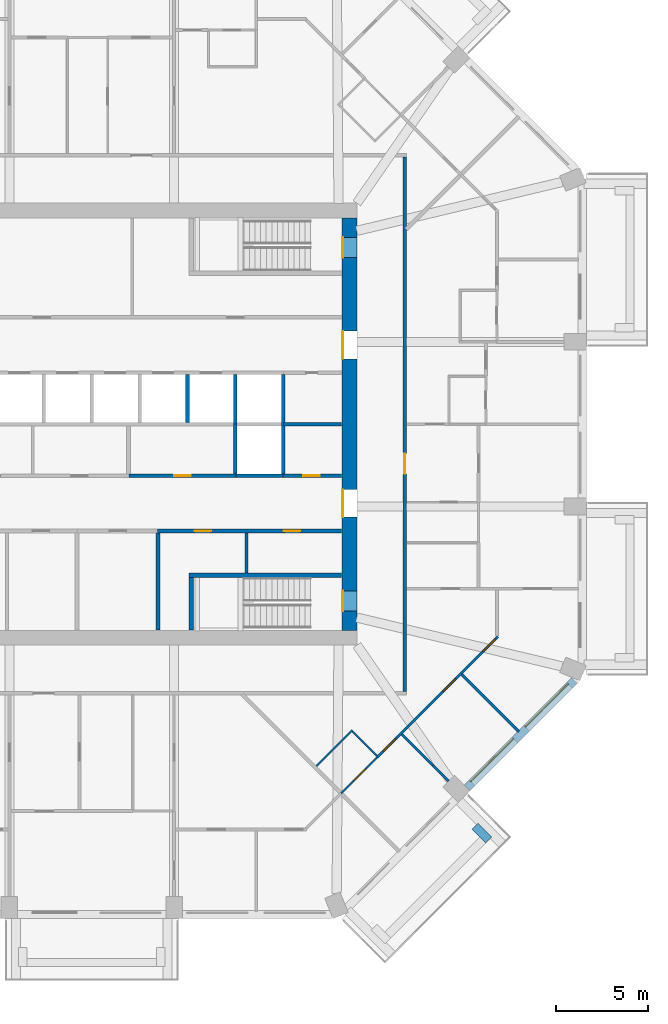
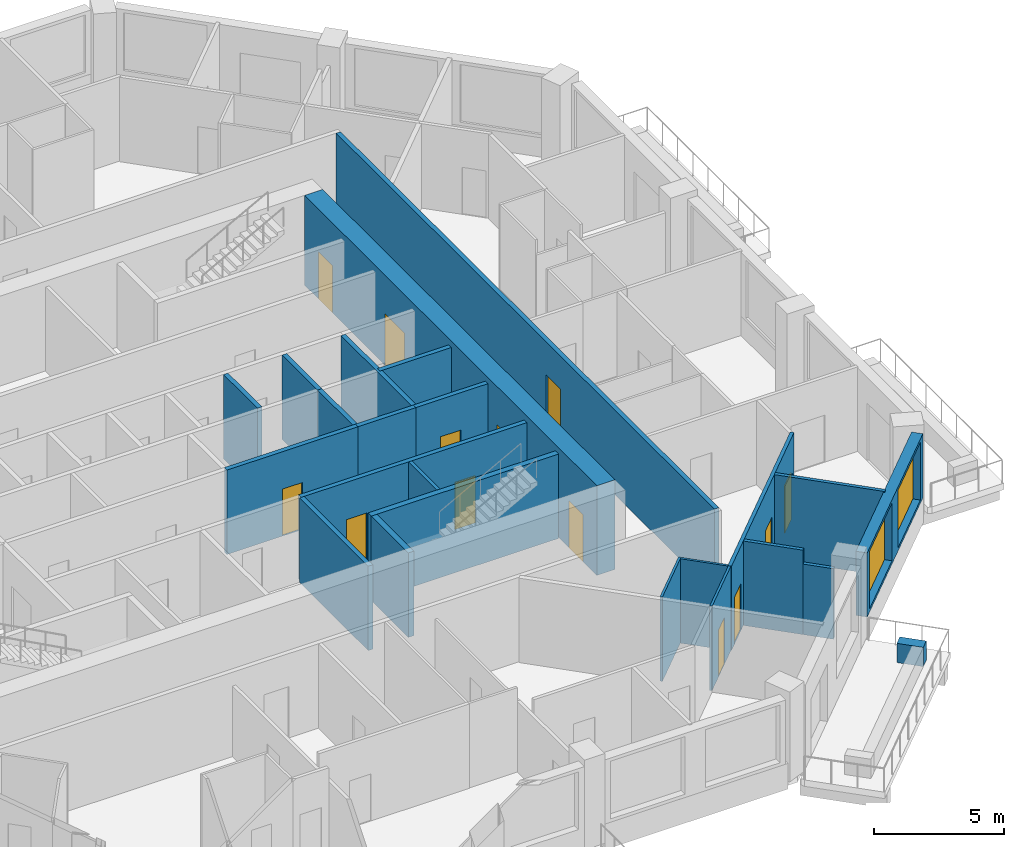
# One storey, part 6 of 13: 24 walls, 13 doors, 2 windows, 15 openings.
"""IFC4 building model written with IfcOpenShell, lengths in metres."""

import ifcopenshell
import ifcopenshell.guid

model = None  # the IFC model being written
_history = None  # IfcOwnerHistory: only IFC2X3 demands one
_inside = {}  # id of a spatial element -> (the spatial element, [elements in it])
_under = {}  # id of a project, library or spatial element -> (it, [spatial elements below it])
_declared = {}  # id of a project -> (the project, [libraries it declares])
_typed = {}  # id of a type object -> (the type object, [elements of that type])
_made_of = {}  # id of a material, layer set ... -> (it, [elements and type objects made of it])


def new_model(schema):
    """Start an empty IFC model of exactly this schema.

    Asked for "IFC4X3", IfcOpenShell would pick the latest addendum, in which some entities
    have other attributes; the version numbers below select the first issue.
    IFC2X3 requires an IfcOwnerHistory on every rooted entity: one is made here for all.
    """
    global model, _history
    if schema == "IFC4X3":
        model = ifcopenshell.file(schema_version=(4, 3, 0, 0))
    else:
        model = ifcopenshell.file(schema=schema)
    _inside.clear()
    _under.clear()
    _declared.clear()
    _typed.clear()
    _made_of.clear()
    _history = None
    if model.schema == "IFC2X3":
        org = make("IfcOrganization", Name="unknown")
        user = make(
            "IfcPersonAndOrganization",
            ThePerson=make("IfcPerson", FamilyName="unknown"),
            TheOrganization=org,
        )
        app = make(
            "IfcApplication",
            ApplicationDeveloper=org,
            Version="unknown",
            ApplicationFullName="unknown",
            ApplicationIdentifier="unknown",
        )
        _history = make(
            "IfcOwnerHistory",
            OwningUser=user,
            OwningApplication=app,
            ChangeAction="ADDED",
            CreationDate=0,
        )
    return model


def make(cls, **values):
    """One entity of the class cls with the attributes given. An attribute that is None is left unset."""
    return model.create_entity(
        cls, **{name: value for name, value in values.items() if value is not None}
    )


def rooted(cls, **values):
    """An entity with a GlobalId (a new one), such as an element, a storey or a relation."""
    return make(cls, GlobalId=ifcopenshell.guid.new(), OwnerHistory=_history, **values)


def si_unit(unit_type, name, prefix=None):
    """IfcSIUnit, for example si_unit("LENGTHUNIT", "METRE", prefix="MILLI")."""
    return make("IfcSIUnit", UnitType=unit_type, Prefix=prefix, Name=name)


def assignment(units):
    """IfcUnitAssignment: the units of a project."""
    return None if units is None else make("IfcUnitAssignment", Units=units)


def point(xyz):
    """IfcCartesianPoint."""
    return None if xyz is None else make("IfcCartesianPoint", Coordinates=xyz)


def direction(xyz):
    """IfcDirection."""
    return None if xyz is None else make("IfcDirection", DirectionRatios=xyz)


def frame(location, z_axis=None, x_axis=None):
    """IfcAxis2Placement3D, a coordinate frame: its origin and axes. An axis left out is left unset."""
    return make(
        "IfcAxis2Placement3D",
        Location=point(location),
        Axis=direction(z_axis),
        RefDirection=direction(x_axis),
    )


def frame_2d(location, x_axis=None):
    """IfcAxis2Placement2D, a coordinate frame in the plane: its origin and x axis."""
    return make(
        "IfcAxis2Placement2D", Location=point(location), RefDirection=direction(x_axis)
    )


def origin():
    """The frame at (0, 0, 0) with its axes left unset."""
    return frame((0.0, 0.0, 0.0))


def place(relative_to, where):
    """IfcLocalPlacement: puts the frame where relative to a parent placement (None: the world)."""
    return make(
        "IfcLocalPlacement", PlacementRelTo=relative_to, RelativePlacement=where
    )


def context(
    kind, dimensions, precision=None, world=None, true_north=None, identifier=None
):
    """IfcGeometricRepresentationContext, for example the 3D "Model" context."""
    return make(
        "IfcGeometricRepresentationContext",
        ContextIdentifier=identifier,
        ContextType=kind,
        CoordinateSpaceDimension=dimensions,
        Precision=precision,
        WorldCoordinateSystem=world,
        TrueNorth=true_north,
    )


def subcontext(parent, identifier, kind, view, scale=None):
    """IfcGeometricRepresentationSubContext, for example "Body" below "Model"."""
    return make(
        "IfcGeometricRepresentationSubContext",
        ContextIdentifier=identifier,
        ContextType=kind,
        ParentContext=parent,
        TargetScale=scale,
        TargetView=view,
    )


def project(units=None, contexts=None):
    """IfcProject with its units and contexts."""
    return rooted(
        "IfcProject",
        Name="project",
        RepresentationContexts=contexts,
        UnitsInContext=assignment(units),
    )


def spatial(cls, under=None, at=None, **own):
    """A site, building, storey or space (cls), placed at a placement, below another one or the project."""
    s = rooted(cls, ObjectPlacement=at, **own)
    if under is not None:
        _under.setdefault(under.id(), (under, []))[1].append(s)
    return s


def profile(cls, at=None, kind="AREA", **sizes):
    """A parametric profile (cls). Its sizes go by their IFC names, for example OverallWidth=200.0."""
    return make(cls, ProfileType=kind, Position=at, **sizes)


def rectangle(**sizes):
    """IfcRectangleProfileDef."""
    return profile("IfcRectangleProfileDef", **sizes)


def extrude(swept, where, along, depth):
    """IfcExtrudedAreaSolid: the profile swept, set in the frame where, extruded along a direction by depth."""
    return make(
        "IfcExtrudedAreaSolid",
        SweptArea=swept,
        Position=where,
        ExtrudedDirection=direction(along),
        Depth=depth,
    )


def shape(context_of_items, identifier, shape_type, items):
    """IfcShapeRepresentation: the items that make up one representation, for example the "Body"."""
    return make(
        "IfcShapeRepresentation",
        ContextOfItems=context_of_items,
        RepresentationIdentifier=identifier,
        RepresentationType=shape_type,
        Items=items,
    )


def material(Name=None, Category=None):
    """IfcMaterial."""
    return make("IfcMaterial", Name=Name, Category=Category)


def layer(
    of_material, thickness, ventilated=None, Name=None, Category=None, Priority=None
):
    """IfcMaterialLayer: one layer of a wall or slab, of a material (None: an air gap)."""
    return make(
        "IfcMaterialLayer",
        Material=of_material,
        LayerThickness=thickness,
        IsVentilated=ventilated,
        Name=Name,
        Category=Category,
        Priority=Priority,
    )


def layer_set(layers, Name=None):
    """IfcMaterialLayerSet."""
    return make("IfcMaterialLayerSet", MaterialLayers=layers, LayerSetName=Name)


def made_of(thing, what):
    """Note that an element or type object is made of a material, layer set ...; save() writes the relation."""
    if what is not None:
        _made_of.setdefault(what.id(), (what, []))[1].append(thing)
    return thing


def type_object(cls, material=None, **own):
    """A type object (cls), such as IfcWallType, which elements share."""
    return made_of(rooted(cls, **own), material)


def element(
    cls,
    number,
    at=None,
    inside=None,
    cuts=None,
    type_object=None,
    material=None,
    context=None,
    identifier="Body",
    shape_type=None,
    held_by="IfcProductDefinitionShape",
    body=None,
    shapes=None,
    **own,
):
    """One element of the class cls, such as IfcWall. Its Tag is "e" and its number.

    at: its placement. inside: the storey or other place that contains it. cuts: it is an
    opening in that element (IfcRelVoidsElement). A single representation is given by context,
    identifier, shape_type and body (its items); several are given by shapes. held_by: the class
    of the entity that holds the representations. save() writes the other relations.
    """
    e = rooted(cls, Tag="e%d" % number, ObjectPlacement=at, **own)
    if body is not None:
        shapes = [shape(context, identifier, shape_type, body)]
    if shapes is not None:
        e.Representation = make(held_by, Representations=shapes)
    if inside is not None:
        _inside.setdefault(inside.id(), (inside, []))[1].append(e)
    if cuts is not None:
        rooted(
            "IfcRelVoidsElement", RelatingBuildingElement=cuts, RelatedOpeningElement=e
        )
    if type_object is not None:
        _typed.setdefault(type_object.id(), (type_object, []))[1].append(e)
    return made_of(e, material)


def fill(opening, filler):
    """IfcRelFillsElement: the door or window that sits in an opening."""
    return rooted(
        "IfcRelFillsElement",
        RelatingOpeningElement=opening,
        RelatedBuildingElement=filler,
    )


def aggregate(whole, parts):
    """IfcRelAggregates: a whole, such as a stair, and the parts it consists of."""
    return rooted("IfcRelAggregates", RelatingObject=whole, RelatedObjects=parts)


def save(model, path):
    """Write the relations noted so far, then the file.

    IfcRelAggregates (storeys below a building ...), IfcRelContainedInSpatialStructure (elements
    in a storey), IfcRelDefinesByType, IfcRelAssociatesMaterial and IfcRelDeclares: one each for
    every whole, place, type object, material and project.
    """
    for whole, parts in _under.values():
        aggregate(whole, parts)
    for where, things in _inside.values():
        rooted(
            "IfcRelContainedInSpatialStructure",
            RelatedElements=things,
            RelatingStructure=where,
        )
    for kind, things in _typed.values():
        rooted("IfcRelDefinesByType", RelatedObjects=things, RelatingType=kind)
    for what, things in _made_of.values():
        rooted("IfcRelAssociatesMaterial", RelatedObjects=things, RelatingMaterial=what)
    for by, libraries in _declared.values():
        rooted("IfcRelDeclares", RelatingContext=by, RelatedDefinitions=libraries)
    model.write(path)


model = new_model("IFC4")

# Units and contexts
model_context = context("Model", 3, precision=1e-05, world=origin(), true_north=direction((0.0, 1.0)))
body_context = subcontext(model_context, "Body", "Model", "MODEL_VIEW")
ifc_project = project(units=[si_unit("LENGTHUNIT", "METRE"), si_unit("AREAUNIT", "SQUARE_METRE"), si_unit("VOLUMEUNIT", "CUBIC_METRE"), si_unit("PLANEANGLEUNIT", "RADIAN"), si_unit("MASSUNIT", "GRAM", prefix="KILO")], contexts=[model_context])

# Site, building, storey
site_placement = place(None, origin())
site = spatial("IfcSite", under=ifc_project, at=site_placement, CompositionType="ELEMENT")
building_placement = place(site_placement, origin())
building = spatial("IfcBuilding", under=site, at=building_placement, Name="Msitu Wima Residences", CompositionType="ELEMENT")
storey_placement = place(building_placement, frame((0.0, 0.0, 135.89990234375)))
storey = spatial("IfcBuildingStorey", under=building, at=storey_placement, Name="L31", CompositionType="ELEMENT", Elevation=135.89990234375)

# Wall
ifc_material_1 = material(Name="Facing brick")
ifc_layer_1 = layer(ifc_material_1, 0.06494140625, Name="Facing brick")
ifc_material_2 = material(Name="Concrete C40/50", Category="concrete")
ifc_layer_2 = layer(ifc_material_2, 0.156005859375, Name="Concrete C40/50")
ifc_material_3 = material(Name="Waterproofing membrane")
ifc_layer_3 = layer(ifc_material_3, 0.00390625, Name="Waterproofing membrane")
ifc_material_4 = material(Name="Planting soil and planting")
ifc_layer_4 = layer(ifc_material_4, 0.22509765625, Name="Planting soil and planting")
ifc_layer_set_1 = layer_set([ifc_layer_1, ifc_layer_2, ifc_layer_3, ifc_layer_4], Name="Concrete C40/50")
wall_type_1 = type_object("IfcWallType", Name="Balcony planter PLANTER PL450", PredefinedType="USERDEFINED", material=ifc_layer_set_1)
wall_1_placement = place(storey_placement, frame((20.804443359375, -21.829833984375, 0.0), z_axis=(0.0, 0.0, 1.0), x_axis=(0.707106781187, -0.707106781187, 0.0)))
element("IfcWall", 1, at=wall_1_placement, inside=storey, type_object=wall_type_1, Name="Balcony planter SE0 L31", ObjectType="PLANTER", PredefinedType="USERDEFINED", context=body_context, shape_type="SweptSolid", body=[
    extrude(rectangle(XDim=1.050048828125, YDim=0.449951171875, at=frame_2d((0.52490234375, 0.0))), origin(), (0.0, 0.0, 1.0), 0.900146484375),
])

# Wall, openings, windows
ifc_material_5 = material(Name="Brick (red buff mix)", Category="masonry")
ifc_layer_5 = layer(ifc_material_5, 0.449951171875)
ifc_layer_set_2 = layer_set([ifc_layer_5], Name="Brick (red buff mix)")
wall_type_2 = type_object("IfcWallType", Name="Brick infill wall BW450", PredefinedType="SOLIDWALL", material=ifc_layer_set_2)
wall_2_placement = place(storey_placement, frame((20.380126953125, -19.743896484375, 0.900146484375), z_axis=(0.0, 0.0, 1.0), x_axis=(0.707106781187, 0.707106781187, 0.0)))
wall_2 = element("IfcWall", 2, at=wall_2_placement, inside=storey, type_object=wall_type_2, Name="Brick infill wall L31 SE1", PredefinedType="SOLIDWALL", context=body_context, shape_type="SweptSolid", body=[
    extrude(rectangle(XDim=8.251220703125, YDim=0.449951171875, at=frame_2d((4.12548828125, 0.0))), origin(), (0.0, 0.0, 1.0), 3.0),
])
opening_1_placement = place(wall_2_placement, frame((0.37548828125, 0.0, 0.14990234375)))
opening_1 = element("IfcOpeningElement", 3, at=opening_1_placement, cuts=wall_2, Name="Opening W30-32.022", PredefinedType="OPENING", context=body_context, shape_type="SweptSolid", body=[
    extrude(rectangle(XDim=3.300048828125, YDim=2.699951171875, at=frame_2d((1.64990234375, 1.35009765625))), frame((0.0, 0.23486328125, 0.0), z_axis=(0.0, -1.0, 0.0), x_axis=(1.0, 0.0, 0.0)), (0.0, 0.0, 1.0), 0.469970703125),
])
opening_2_placement = place(wall_2_placement, frame((4.57568359375, 0.0, 0.14990234375)))
opening_2 = element("IfcOpeningElement", 4, at=opening_2_placement, cuts=wall_2, Name="Opening W30-32.023", PredefinedType="OPENING", context=body_context, shape_type="SweptSolid", body=[
    extrude(rectangle(XDim=3.300048828125, YDim=2.699951171875, at=frame_2d((1.64990234375, 1.35009765625))), frame((0.0, 0.23486328125, 0.0), z_axis=(0.0, -1.0, 0.0), x_axis=(1.0, 0.0, 0.0)), (0.0, 0.0, 1.0), 0.469970703125),
])
ifc_material_6 = material(Name="Anodised aluminium, bronze finish, clear low-emissivity double glazing", Category="aluminium")
window_type = type_object("IfcWindowType", Name="Window W3300x2700", PartitioningType="DOUBLE_PANEL_VERTICAL", PredefinedType="WINDOW", material=ifc_material_6)
window_1_placement = place(opening_1_placement, origin())
window_1 = element("IfcWindow", 5, at=window_1_placement, inside=storey, type_object=window_type, Name="Window L31 SE1.1", OverallHeight=2.699951171875, OverallWidth=3.300048828125, PartitioningType="SINGLE_PANEL", PredefinedType="WINDOW", context=body_context, shape_type="SweptSolid", body=[
    extrude(rectangle(XDim=3.300048828125, YDim=2.699951171875, at=frame_2d((1.64990234375, 1.35009765625))), frame((0.0, 0.135009765625, 0.0), z_axis=(0.0, -1.0, 0.0), x_axis=(1.0, 0.0, 0.0)), (0.0, 0.0, 1.0), 0.06005859375),
])
fill(opening_1, window_1)
window_2_placement = place(opening_2_placement, origin())
window_2 = element("IfcWindow", 6, at=window_2_placement, inside=storey, type_object=window_type, Name="Window L31 SE1.2", OverallHeight=2.699951171875, OverallWidth=3.300048828125, PartitioningType="SINGLE_PANEL", PredefinedType="WINDOW", context=body_context, shape_type="SweptSolid", body=[
    extrude(rectangle(XDim=3.300048828125, YDim=2.699951171875, at=frame_2d((1.64990234375, 1.35009765625))), frame((0.0, 0.135009765625, 0.0), z_axis=(0.0, -1.0, 0.0), x_axis=(1.0, 0.0, 0.0)), (0.0, 0.0, 1.0), 0.06005859375),
])
fill(opening_2, window_2)

# Wall, openings, doors
ifc_material_7 = material(Name="Concrete C70/85", Category="concrete")
ifc_layer_6 = layer(ifc_material_7, 0.800048828125)
ifc_layer_set_3 = layer_set([ifc_layer_6], Name="Concrete C70/85")
wall_type_3 = type_object("IfcWallType", Name="Core wall CW800 C70/85", PredefinedType="SHEAR", material=ifc_layer_set_3)
wall_3_placement = place(storey_placement, frame((14.0, -11.199951171875, 0.0), z_axis=(0.0, 0.0, 1.0), x_axis=(0.0, 1.0, 0.0)))
wall_3 = element("IfcWall", 7, at=wall_3_placement, inside=storey, type_object=wall_type_3, Name="Core wall", PredefinedType="SHEAR", context=body_context, shape_type="SweptSolid", body=[
    extrude(rectangle(XDim=22.39990234375, YDim=0.800048828125, at=frame_2d((11.199951171875, 0.0))), origin(), (0.0, 0.0, 1.0), 4.2001953125),
])
opening_3_placement = place(wall_3_placement, frame((20.25, 0.0, 0.0)))
opening_3 = element("IfcOpeningElement", 8, at=opening_3_placement, cuts=wall_3, Name="Opening D30-32.038", PredefinedType="OPENING", context=body_context, shape_type="SweptSolid", body=[
    extrude(rectangle(XDim=1.10009765625, YDim=2.199951171875, at=frame_2d((0.550048828125, 1.10009765625))), frame((0.0, 0.409912109375, 0.0), z_axis=(0.0, -1.0, 0.0), x_axis=(1.0, 0.0, 0.0)), (0.0, 0.0, 1.0), 0.820068359375),
])
opening_4_placement = place(wall_3_placement, frame((1.050048828125, 0.0, 0.0)))
opening_4 = element("IfcOpeningElement", 9, at=opening_4_placement, cuts=wall_3, Name="Opening D30-32.039", PredefinedType="OPENING", context=body_context, shape_type="SweptSolid", body=[
    extrude(rectangle(XDim=1.10009765625, YDim=2.199951171875, at=frame_2d((0.550048828125, 1.10009765625))), frame((0.0, 0.409912109375, 0.0), z_axis=(0.0, -1.0, 0.0), x_axis=(1.0, 0.0, 0.0)), (0.0, 0.0, 1.0), 0.820068359375),
])
opening_5_placement = place(wall_3_placement, frame((14.75, 0.0, 0.0)))
opening_5 = element("IfcOpeningElement", 10, at=opening_5_placement, cuts=wall_3, Name="Opening D30-32.027", PredefinedType="OPENING", context=body_context, shape_type="SweptSolid", body=[
    extrude(rectangle(XDim=1.5, YDim=2.39990234375, at=frame_2d((0.75, 1.199951171875))), frame((0.0, 0.409912109375, 0.0), z_axis=(0.0, -1.0, 0.0), x_axis=(1.0, 0.0, 0.0)), (0.0, 0.0, 1.0), 0.820068359375),
])
opening_6_placement = place(wall_3_placement, frame((6.14990234375, 0.0, 0.0)))
opening_6 = element("IfcOpeningElement", 11, at=opening_6_placement, cuts=wall_3, Name="Opening D30-32.028", PredefinedType="OPENING", context=body_context, shape_type="SweptSolid", body=[
    extrude(rectangle(XDim=1.5, YDim=2.39990234375, at=frame_2d((0.75, 1.199951171875))), frame((0.0, 0.409912109375, 0.0), z_axis=(0.0, -1.0, 0.0), x_axis=(1.0, 0.0, 0.0)), (0.0, 0.0, 1.0), 0.820068359375),
])
ifc_material_8 = material(Name="Steel framed glazed door, fire resisting", Category="steel")
door_type_1 = type_object("IfcDoorType", Name="Lobby door D07 1500x2400", OperationType="DOUBLE_DOOR_SINGLE_SWING", PredefinedType="DOOR", material=ifc_material_8)
door_1_placement = place(opening_5_placement, origin())
door_1 = element("IfcDoor", 12, at=door_1_placement, inside=storey, type_object=door_type_1, Name="Lobby door", OperationType="DOUBLE_DOOR_SINGLE_SWING", OverallHeight=2.39990234375, OverallWidth=1.5, PredefinedType="DOOR", context=body_context, shape_type="SweptSolid", body=[
    extrude(rectangle(XDim=1.5, YDim=2.39990234375, at=frame_2d((0.75, 1.199951171875))), frame((0.0, 0.39501953125, 0.0), z_axis=(0.0, -1.0, 0.0), x_axis=(1.0, 0.0, 0.0)), (0.0, 0.0, 1.0), 0.050048828125),
])
fill(opening_5, door_1)
door_2_placement = place(opening_6_placement, origin())
door_2 = element("IfcDoor", 13, at=door_2_placement, inside=storey, type_object=door_type_1, Name="Lobby door", OperationType="DOUBLE_DOOR_SINGLE_SWING", OverallHeight=2.39990234375, OverallWidth=1.5, PredefinedType="DOOR", context=body_context, shape_type="SweptSolid", body=[
    extrude(rectangle(XDim=1.5, YDim=2.39990234375, at=frame_2d((0.75, 1.199951171875))), frame((0.0, 0.39501953125, 0.0), z_axis=(0.0, -1.0, 0.0), x_axis=(1.0, 0.0, 0.0)), (0.0, 0.0, 1.0), 0.050048828125),
])
fill(opening_6, door_2)
ifc_material_9 = material(Name="Steel door, fire resisting, panic bar", Category="steel")
door_type_2 = type_object("IfcDoorType", Name="Stair door D06 1100x2200", OperationType="SINGLE_SWING_LEFT", PredefinedType="DOOR", material=ifc_material_9)
door_3_placement = place(opening_3_placement, origin())
door_3 = element("IfcDoor", 14, at=door_3_placement, inside=storey, type_object=door_type_2, Name="Stair door", OperationType="SINGLE_SWING_LEFT", OverallHeight=2.199951171875, OverallWidth=1.10009765625, PredefinedType="DOOR", context=body_context, shape_type="SweptSolid", body=[
    extrude(rectangle(XDim=1.10009765625, YDim=2.199951171875, at=frame_2d((0.550048828125, 1.10009765625))), frame((0.0, 0.39501953125, 0.0), z_axis=(0.0, -1.0, 0.0), x_axis=(1.0, 0.0, 0.0)), (0.0, 0.0, 1.0), 0.050048828125),
])
fill(opening_3, door_3)
door_4_placement = place(opening_4_placement, origin())
door_4 = element("IfcDoor", 15, at=door_4_placement, inside=storey, type_object=door_type_2, Name="Stair door", OperationType="SINGLE_SWING_RIGHT", OverallHeight=2.199951171875, OverallWidth=1.10009765625, PredefinedType="DOOR", context=body_context, shape_type="SweptSolid", body=[
    extrude(rectangle(XDim=1.10009765625, YDim=2.199951171875, at=frame_2d((0.550048828125, 1.10009765625))), frame((0.0, 0.39501953125, 0.0), z_axis=(0.0, -1.0, 0.0), x_axis=(1.0, 0.0, 0.0)), (0.0, 0.0, 1.0), 0.050048828125),
])
fill(opening_4, door_4)

ifc_material_10 = material(Name="Plaster")
ifc_layer_7 = layer(ifc_material_10, 0.011962890625, Name="Plaster")
ifc_material_11 = material(Name="Concrete blockwork", Category="masonry")
ifc_layer_8 = layer(ifc_material_11, 0.176025390625, Name="Concrete blockwork")
ifc_layer_9 = layer(ifc_material_10, 0.011962890625, Name="Plaster")
ifc_layer_set_4 = layer_set([ifc_layer_7, ifc_layer_8, ifc_layer_9], Name="Concrete blockwork")
wall_type_4 = type_object("IfcWallType", Name="Corridor wall FW200", PredefinedType="PARTITIONING", material=ifc_layer_set_4)
wall_4_placement = place(storey_placement, frame((3.580078125, -5.800048828125, 0.0), z_axis=(0.0, 0.0, 1.0), x_axis=(1.0, 0.0, 0.0)))
wall_4 = element("IfcWall", 16, at=wall_4_placement, inside=storey, type_object=wall_type_4, Name="Corridor wall", PredefinedType="PARTITIONING", context=body_context, shape_type="SweptSolid", body=[
    extrude(rectangle(XDim=9.989990234375, YDim=0.199951171875, at=frame_2d((4.9951171875, 0.0))), origin(), (0.0, 0.0, 1.0), 3.9501953125),
])
opening_7_placement = place(wall_4_placement, frame((2.0, 0.0, 0.0)))
opening_7 = element("IfcOpeningElement", 17, at=opening_7_placement, cuts=wall_4, Name="Opening D30-32.025", PredefinedType="OPENING", context=body_context, shape_type="SweptSolid", body=[
    extrude(rectangle(XDim=0.89990234375, YDim=2.199951171875, at=frame_2d((0.449951171875, 1.10009765625))), frame((0.0, 0.10986328125, 0.0), z_axis=(0.0, -1.0, 0.0), x_axis=(1.0, 0.0, 0.0)), (0.0, 0.0, 1.0), 0.219970703125),
])
opening_8_placement = place(wall_4_placement, frame((6.85009765625, 0.0, 0.0)))
opening_8 = element("IfcOpeningElement", 18, at=opening_8_placement, cuts=wall_4, Name="Opening D30-32.026", PredefinedType="OPENING", context=body_context, shape_type="SweptSolid", body=[
    extrude(rectangle(XDim=0.89990234375, YDim=2.199951171875, at=frame_2d((0.449951171875, 1.10009765625))), frame((0.0, 0.10986328125, 0.0), z_axis=(0.0, -1.0, 0.0), x_axis=(1.0, 0.0, 0.0)), (0.0, 0.0, 1.0), 0.219970703125),
])
ifc_material_12 = material(Name="Timber flush door", Category="wood")
door_type_3 = type_object("IfcDoorType", Name="Service door D05 900x2200", OperationType="SINGLE_SWING_LEFT", PredefinedType="DOOR", material=ifc_material_12)
door_5_placement = place(opening_7_placement, origin())
door_5 = element("IfcDoor", 19, at=door_5_placement, inside=storey, type_object=door_type_3, Name="Service door", OperationType="SINGLE_SWING_LEFT", OverallHeight=2.199951171875, OverallWidth=0.89990234375, PredefinedType="DOOR", context=body_context, shape_type="SweptSolid", body=[
    extrude(rectangle(XDim=0.89990234375, YDim=2.199951171875, at=frame_2d((0.449951171875, 1.10009765625))), frame((0.0, 0.02490234375, 0.0), z_axis=(0.0, -1.0, 0.0), x_axis=(1.0, 0.0, 0.0)), (0.0, 0.0, 1.0), 0.050048828125),
])
fill(opening_7, door_5)
door_6_placement = place(opening_8_placement, origin())
door_6 = element("IfcDoor", 20, at=door_6_placement, inside=storey, type_object=door_type_3, Name="Service door", OperationType="SINGLE_SWING_RIGHT", OverallHeight=2.199951171875, OverallWidth=0.89990234375, PredefinedType="DOOR", context=body_context, shape_type="SweptSolid", body=[
    extrude(rectangle(XDim=0.89990234375, YDim=2.199951171875, at=frame_2d((0.449951171875, 1.10009765625))), frame((0.0, 0.02490234375, 0.0), z_axis=(0.0, -1.0, 0.0), x_axis=(1.0, 0.0, 0.0)), (0.0, 0.0, 1.0), 0.050048828125),
])
fill(opening_8, door_6)

# Wall, opening, door
wall_5_placement = place(storey_placement, frame((17.0, -14.5, 0.0), z_axis=(0.0, 0.0, 1.0), x_axis=(0.0, 1.0, 0.0)))
wall_5 = element("IfcWall", 21, at=wall_5_placement, inside=storey, type_object=wall_type_4, Name="Corridor wall", PredefinedType="PARTITIONING", context=body_context, shape_type="SweptSolid", body=[
    extrude(rectangle(XDim=29.0, YDim=0.199951171875, at=frame_2d((14.5, 0.0))), origin(), (0.0, 0.0, 1.0), 3.9501953125),
])
opening_9_placement = place(wall_5_placement, frame((11.800048828125, 0.0, 0.0)))
opening_9 = element("IfcOpeningElement", 22, at=opening_9_placement, cuts=wall_5, Name="Opening D30-32.014", PredefinedType="OPENING", context=body_context, shape_type="SweptSolid", body=[
    extrude(rectangle(XDim=1.10009765625, YDim=2.39990234375, at=frame_2d((0.550048828125, 1.199951171875))), frame((0.0, 0.10986328125, 0.0), z_axis=(0.0, -1.0, 0.0), x_axis=(1.0, 0.0, 0.0)), (0.0, 0.0, 1.0), 0.219970703125),
])
ifc_material_13 = material(Name="Timber flush door, fire resisting, self-closing", Category="wood")
door_type_4 = type_object("IfcDoorType", Name="Flat entrance door D01 1100x2400", OperationType="SINGLE_SWING_LEFT", PredefinedType="DOOR", material=ifc_material_13)
door_7_placement = place(opening_9_placement, origin())
door_7 = element("IfcDoor", 23, at=door_7_placement, inside=storey, type_object=door_type_4, Name="Flat entrance door", OperationType="SINGLE_SWING_RIGHT", OverallHeight=2.39990234375, OverallWidth=1.10009765625, PredefinedType="DOOR", context=body_context, shape_type="SweptSolid", body=[
    extrude(rectangle(XDim=1.10009765625, YDim=2.39990234375, at=frame_2d((0.550048828125, 1.199951171875))), frame((0.0, 0.02490234375, 0.0), z_axis=(0.0, -1.0, 0.0), x_axis=(1.0, 0.0, 0.0)), (0.0, 0.0, 1.0), 0.050048828125),
])
fill(opening_9, door_7)

# Wall
ifc_layer_10 = layer(ifc_material_10, 0.011962890625, Name="Plaster")
ifc_layer_11 = layer(ifc_material_11, 0.1259765625, Name="Concrete blockwork")
ifc_layer_12 = layer(ifc_material_10, 0.011962890625, Name="Plaster")
ifc_layer_set_5 = layer_set([ifc_layer_10, ifc_layer_11, ifc_layer_12], Name="Concrete blockwork")
wall_type_5 = type_object("IfcWallType", Name="Partition PW150", PredefinedType="PARTITIONING", material=ifc_layer_set_5)
wall_6_placement = place(storey_placement, frame((8.39990234375, -8.074951171875, 0.0), z_axis=(0.0, 0.0, 1.0), x_axis=(0.0, 1.0, 0.0)))
element("IfcWall", 24, at=wall_6_placement, inside=storey, type_object=wall_type_5, Name="Partition", PredefinedType="PARTITIONING", context=body_context, shape_type="SweptSolid", body=[
    extrude(rectangle(XDim=2.175048828125, YDim=0.14990234375, at=frame_2d((1.08740234375, 0.0))), origin(), (0.0, 0.0, 1.0), 3.9501953125),
])

# Wall, openings, doors
wall_7_placement = place(storey_placement, frame((15.5087890625, -18.074462890625, 0.0), z_axis=(0.0, 0.0, 1.0), x_axis=(0.707106781187, 0.707106781187, 0.0)))
wall_7 = element("IfcWall", 25, at=wall_7_placement, inside=storey, type_object=wall_type_5, Name="Partition", PredefinedType="PARTITIONING", context=body_context, shape_type="SweptSolid", body=[
    extrude(rectangle(XDim=9.2548828125, YDim=0.14990234375, at=frame_2d((4.62744140625, 0.0))), origin(), (0.0, 0.0, 1.0), 3.9501953125),
])
opening_10_placement = place(wall_7_placement, frame((8.10009765625, 0.0, 0.0)))
opening_10 = element("IfcOpeningElement", 26, at=opening_10_placement, cuts=wall_7, Name="Opening D30-32.082", PredefinedType="OPENING", context=body_context, shape_type="SweptSolid", body=[
    extrude(rectangle(XDim=0.949951171875, YDim=2.199951171875, at=frame_2d((0.47509765625, 1.10009765625))), frame((0.0, 0.0849609375, 0.0), z_axis=(0.0, -1.0, 0.0), x_axis=(1.0, 0.0, 0.0)), (0.0, 0.0, 1.0), 0.169921875),
])
opening_11_placement = place(wall_7_placement, frame((5.050048828125, 0.0, 0.0)))
opening_11 = element("IfcOpeningElement", 27, at=opening_11_placement, cuts=wall_7, Name="Opening D30-32.083", PredefinedType="OPENING", context=body_context, shape_type="SweptSolid", body=[
    extrude(rectangle(XDim=0.949951171875, YDim=2.199951171875, at=frame_2d((0.47509765625, 1.10009765625))), frame((0.0, 0.0849609375, 0.0), z_axis=(0.0, -1.0, 0.0), x_axis=(1.0, 0.0, 0.0)), (0.0, 0.0, 1.0), 0.169921875),
])
opening_12_placement = place(wall_7_placement, frame((0.449951171875, 0.0, 0.0)))
opening_12 = element("IfcOpeningElement", 28, at=opening_12_placement, cuts=wall_7, Name="Opening D30-32.085", PredefinedType="OPENING", context=body_context, shape_type="SweptSolid", body=[
    extrude(rectangle(XDim=0.949951171875, YDim=2.199951171875, at=frame_2d((0.47509765625, 1.10009765625))), frame((0.0, 0.0849609375, 0.0), z_axis=(0.0, -1.0, 0.0), x_axis=(1.0, 0.0, 0.0)), (0.0, 0.0, 1.0), 0.169921875),
])
door_type_5 = type_object("IfcDoorType", Name="Room door D12 950x2200", OperationType="SINGLE_SWING_LEFT", PredefinedType="DOOR", material=ifc_material_12)
door_8_placement = place(opening_10_placement, origin())
door_8 = element("IfcDoor", 29, at=door_8_placement, inside=storey, type_object=door_type_5, Name="Room door", OperationType="SINGLE_SWING_RIGHT", OverallHeight=2.199951171875, OverallWidth=0.949951171875, PredefinedType="DOOR", context=body_context, shape_type="SweptSolid", body=[
    extrude(rectangle(XDim=0.949951171875, YDim=2.199951171875, at=frame_2d((0.47509765625, 1.10009765625))), frame((0.0, 0.02490234375, 0.0), z_axis=(0.0, -1.0, 0.0), x_axis=(1.0, 0.0, 0.0)), (0.0, 0.0, 1.0), 0.050048828125),
])
fill(opening_10, door_8)
door_9_placement = place(opening_11_placement, origin())
door_9 = element("IfcDoor", 30, at=door_9_placement, inside=storey, type_object=door_type_5, Name="Room door", OperationType="SINGLE_SWING_LEFT", OverallHeight=2.199951171875, OverallWidth=0.949951171875, PredefinedType="DOOR", context=body_context, shape_type="SweptSolid", body=[
    extrude(rectangle(XDim=0.949951171875, YDim=2.199951171875, at=frame_2d((0.47509765625, 1.10009765625))), frame((0.0, 0.02490234375, 0.0), z_axis=(0.0, -1.0, 0.0), x_axis=(1.0, 0.0, 0.0)), (0.0, 0.0, 1.0), 0.050048828125),
])
fill(opening_11, door_9)
door_10_placement = place(opening_12_placement, origin())
door_10 = element("IfcDoor", 31, at=door_10_placement, inside=storey, type_object=door_type_5, Name="Room door", OperationType="SINGLE_SWING_LEFT", OverallHeight=2.199951171875, OverallWidth=0.949951171875, PredefinedType="DOOR", context=body_context, shape_type="SweptSolid", body=[
    extrude(rectangle(XDim=0.949951171875, YDim=2.199951171875, at=frame_2d((0.47509765625, 1.10009765625))), frame((0.0, 0.02490234375, 0.0), z_axis=(0.0, -1.0, 0.0), x_axis=(1.0, 0.0, 0.0)), (0.0, 0.0, 1.0), 0.050048828125),
])
fill(opening_12, door_10)

# Walls
wall_8_placement = place(storey_placement, frame((16.8447265625, -16.8447265625, 0.0), z_axis=(0.0, 0.0, 1.0), x_axis=(0.707106781187, -0.707106781187, 0.0)))
element("IfcWall", 32, at=wall_8_placement, inside=storey, type_object=wall_type_5, Name="Partition", PredefinedType="PARTITIONING", context=body_context, shape_type="SweptSolid", body=[
    extrude(rectangle(XDim=2.36572265625, YDim=0.14990234375, at=frame_2d((1.182861328125, 0.0))), origin(), (0.0, 0.0, 1.0), 3.9501953125),
])
wall_9_placement = place(storey_placement, frame((18.517578125, -18.517578125, 0.0), z_axis=(0.0, 0.0, 1.0), x_axis=(0.707106781187, -0.707106781187, 0.0)))
element("IfcWall", 33, at=wall_9_placement, inside=storey, type_object=wall_type_5, Name="Partition", PredefinedType="PARTITIONING", context=body_context, shape_type="SweptSolid", body=[
    extrude(rectangle(XDim=1.209228515625, YDim=0.14990234375, at=frame_2d((0.6044921875, 0.0))), origin(), (0.0, 0.0, 1.0), 3.300048828125),
])
wall_10_placement = place(storey_placement, frame((20.09326171875, -13.59619140625, 0.0), z_axis=(0.0, 0.0, 1.0), x_axis=(0.707106781187, -0.707106781187, 0.0)))
element("IfcWall", 34, at=wall_10_placement, inside=storey, type_object=wall_type_5, Name="Partition", PredefinedType="PARTITIONING", context=body_context, shape_type="SweptSolid", body=[
    extrude(rectangle(XDim=4.380126953125, YDim=0.14990234375, at=frame_2d((2.18994140625, 0.0))), origin(), (0.0, 0.0, 1.0), 3.9501953125),
])

# Wall, opening, door
ifc_layer_13 = layer(ifc_material_10, 0.011962890625, Name="Plaster")
ifc_material_14 = material(Name="Reinforced concrete blockwork", Category="masonry")
ifc_layer_14 = layer(ifc_material_14, 0.176025390625, Name="Reinforced concrete blockwork")
ifc_layer_15 = layer(ifc_material_10, 0.011962890625, Name="Plaster")
ifc_layer_set_6 = layer_set([ifc_layer_13, ifc_layer_14, ifc_layer_15], Name="Reinforced concrete blockwork")
wall_type_6 = type_object("IfcWallType", Name="Plant and riser wall PL200", PredefinedType="PARTITIONING", material=ifc_layer_set_6)
wall_11_placement = place(storey_placement, frame((2.02001953125, -2.800048828125, 0.0), z_axis=(0.0, 0.0, 1.0), x_axis=(1.0, 0.0, 0.0)))
wall_11 = element("IfcWall", 35, at=wall_11_placement, inside=storey, type_object=wall_type_6, Name="Plant and riser wall", PredefinedType="PARTITIONING", context=body_context, shape_type="SweptSolid", body=[
    extrude(rectangle(XDim=5.800048828125, YDim=0.199951171875, at=frame_2d((2.89990234375, 0.0))), origin(), (0.0, 0.0, 1.0), 3.9501953125),
])
opening_13_placement = place(wall_11_placement, frame((2.449951171875, 0.0, 0.0)))
opening_13 = element("IfcOpeningElement", 36, at=opening_13_placement, cuts=wall_11, Name="Opening D30-32.033", PredefinedType="OPENING", context=body_context, shape_type="SweptSolid", body=[
    extrude(rectangle(XDim=0.89990234375, YDim=2.199951171875, at=frame_2d((0.449951171875, 1.10009765625))), frame((0.0, 0.10986328125, 0.0), z_axis=(0.0, -1.0, 0.0), x_axis=(1.0, 0.0, 0.0)), (0.0, 0.0, 1.0), 0.219970703125),
])
door_11_placement = place(opening_13_placement, origin())
door_11 = element("IfcDoor", 37, at=door_11_placement, inside=storey, type_object=door_type_3, Name="Service door", OperationType="SINGLE_SWING_RIGHT", OverallHeight=2.199951171875, OverallWidth=0.89990234375, PredefinedType="DOOR", context=body_context, shape_type="SweptSolid", body=[
    extrude(rectangle(XDim=0.89990234375, YDim=2.199951171875, at=frame_2d((0.449951171875, 1.10009765625))), frame((0.0, 0.02490234375, 0.0), z_axis=(0.0, -1.0, 0.0), x_axis=(1.0, 0.0, 0.0)), (0.0, 0.0, 1.0), 0.050048828125),
])
fill(opening_13, door_11)

# Wall
wall_12_placement = place(storey_placement, frame((3.60009765625, -11.169921875, 0.0), z_axis=(0.0, 0.0, 1.0), x_axis=(0.0, 1.0, 0.0)))
element("IfcWall", 38, at=wall_12_placement, inside=storey, type_object=wall_type_6, Name="Plant and riser wall", PredefinedType="PARTITIONING", context=body_context, shape_type="SweptSolid", body=[
    extrude(rectangle(XDim=5.27001953125, YDim=0.199951171875, at=frame_2d((2.635009765625, 0.0))), origin(), (0.0, 0.0, 1.0), 3.9501953125),
])

# Wall, opening, door
wall_13_placement = place(storey_placement, frame((10.3798828125, -2.800048828125, 0.0), z_axis=(0.0, 0.0, 1.0), x_axis=(1.0, 0.0, 0.0)))
wall_13 = element("IfcWall", 39, at=wall_13_placement, inside=storey, type_object=wall_type_6, Name="Plant and riser wall", PredefinedType="PARTITIONING", context=body_context, shape_type="SweptSolid", body=[
    extrude(rectangle(XDim=3.190185546875, YDim=0.199951171875, at=frame_2d((1.59521484375, 0.0))), origin(), (0.0, 0.0, 1.0), 3.9501953125),
])
opening_14_placement = place(wall_13_placement, frame((1.10009765625, 0.0, 0.0)))
opening_14 = element("IfcOpeningElement", 40, at=opening_14_placement, cuts=wall_13, Name="Opening D30-32.015", PredefinedType="OPENING", context=body_context, shape_type="SweptSolid", body=[
    extrude(rectangle(XDim=0.89990234375, YDim=2.199951171875, at=frame_2d((0.449951171875, 1.10009765625))), frame((0.0, 0.10986328125, 0.0), z_axis=(0.0, -1.0, 0.0), x_axis=(1.0, 0.0, 0.0)), (0.0, 0.0, 1.0), 0.219970703125),
])
door_12_placement = place(opening_14_placement, origin())
door_12 = element("IfcDoor", 41, at=door_12_placement, inside=storey, type_object=door_type_3, Name="Service door", OperationType="SINGLE_SWING_LEFT", OverallHeight=2.199951171875, OverallWidth=0.89990234375, PredefinedType="DOOR", context=body_context, shape_type="SweptSolid", body=[
    extrude(rectangle(XDim=0.89990234375, YDim=2.199951171875, at=frame_2d((0.449951171875, 1.10009765625))), frame((0.0, 0.02490234375, 0.0), z_axis=(0.0, -1.0, 0.0), x_axis=(1.0, 0.0, 0.0)), (0.0, 0.0, 1.0), 0.050048828125),
])
fill(opening_14, door_12)

# Walls
wall_14_placement = place(storey_placement, frame((10.39990234375, 0.0, 0.0), z_axis=(0.0, 0.0, 1.0), x_axis=(1.0, 0.0, 0.0)))
element("IfcWall", 42, at=wall_14_placement, inside=storey, type_object=wall_type_6, Name="Plant and riser wall", PredefinedType="PARTITIONING", context=body_context, shape_type="SweptSolid", body=[
    extrude(rectangle(XDim=3.170166015625, YDim=0.199951171875, at=frame_2d((1.5849609375, 0.0))), origin(), (0.0, 0.0, 1.0), 3.9501953125),
])
ifc_material_15 = material(Name="Fire-rated board")
ifc_layer_16 = layer(ifc_material_15, 0.02490234375, Name="Fire-rated board")
ifc_material_16 = material(Name="Light-gauge stud framing with mineral wool")
ifc_layer_17 = layer(ifc_material_16, 0.14990234375, Name="Light-gauge stud framing with mineral wool")
ifc_layer_18 = layer(ifc_material_15, 0.02490234375, Name="Fire-rated board")
ifc_layer_set_7 = layer_set([ifc_layer_16, ifc_layer_17, ifc_layer_18], Name="Light-gauge stud framing with mineral wool")
wall_type_7 = type_object("IfcWallType", Name="Shaft wall SH200", PredefinedType="PARTITIONING", material=ifc_layer_set_7)
wall_15_placement = place(storey_placement, frame((5.199951171875, 0.10009765625, 0.0), z_axis=(0.0, 0.0, 1.0), x_axis=(0.0, 1.0, 0.0)))
element("IfcWall", 43, at=wall_15_placement, inside=storey, type_object=wall_type_7, Name="Shaft wall", PredefinedType="PARTITIONING", context=body_context, shape_type="SweptSolid", body=[
    extrude(rectangle(XDim=2.599853515625, YDim=0.199951171875, at=frame_2d((1.2998046875, 0.0))), origin(), (0.0, 0.0, 1.0), 3.9501953125),
])
wall_16_placement = place(storey_placement, frame((7.800048828125, -2.699951171875, 0.0), z_axis=(0.0, 0.0, 1.0), x_axis=(0.0, 1.0, 0.0)))
element("IfcWall", 44, at=wall_16_placement, inside=storey, type_object=wall_type_7, Name="Shaft wall", PredefinedType="PARTITIONING", context=body_context, shape_type="SweptSolid", body=[
    extrude(rectangle(XDim=2.699951171875, YDim=0.199951171875, at=frame_2d((1.35009765625, 0.0))), origin(), (0.0, 0.0, 1.0), 3.9501953125),
])
wall_17_placement = place(storey_placement, frame((7.820068359375, -2.800048828125, 0.0), z_axis=(0.0, 0.0, 1.0), x_axis=(1.0, 0.0, 0.0)))
element("IfcWall", 45, at=wall_17_placement, inside=storey, type_object=wall_type_7, Name="Shaft wall", PredefinedType="PARTITIONING", context=body_context, shape_type="SweptSolid", body=[
    extrude(rectangle(XDim=2.559814453125, YDim=0.199951171875, at=frame_2d((1.27978515625, 0.0))), origin(), (0.0, 0.0, 1.0), 3.9501953125),
])
wall_18_placement = place(storey_placement, frame((7.800048828125, 0.0, 0.0), z_axis=(0.0, 0.0, 1.0), x_axis=(0.0, 1.0, 0.0)))
element("IfcWall", 46, at=wall_18_placement, inside=storey, type_object=wall_type_7, Name="Shaft wall", PredefinedType="PARTITIONING", context=body_context, shape_type="SweptSolid", body=[
    extrude(rectangle(XDim=2.699951171875, YDim=0.199951171875, at=frame_2d((1.35009765625, 0.0))), origin(), (0.0, 0.0, 1.0), 3.9501953125),
])
wall_19_placement = place(storey_placement, frame((10.39990234375, -2.699951171875, 0.0), z_axis=(0.0, 0.0, 1.0), x_axis=(0.0, 1.0, 0.0)))
element("IfcWall", 47, at=wall_19_placement, inside=storey, type_object=wall_type_7, Name="Shaft wall", PredefinedType="PARTITIONING", context=body_context, shape_type="SweptSolid", body=[
    extrude(rectangle(XDim=5.39990234375, YDim=0.199951171875, at=frame_2d((2.699951171875, 0.0))), origin(), (0.0, 0.0, 1.0), 3.9501953125),
])
ifc_material_17 = material(Name="Concrete C50/60", Category="concrete")
ifc_layer_19 = layer(ifc_material_17, 0.25)
ifc_layer_set_8 = layer_set([ifc_layer_19], Name="Concrete C50/60")
wall_type_8 = type_object("IfcWallType", Name="Stair enclosure wall SW250", PredefinedType="SHEAR", material=ifc_layer_set_8)
wall_20_placement = place(storey_placement, frame((5.39990234375, -11.169921875, 0.0), z_axis=(0.0, 0.0, 1.0), x_axis=(0.0, 1.0, 0.0)))
element("IfcWall", 48, at=wall_20_placement, inside=storey, type_object=wall_type_8, Name="Stair enclosure wall", PredefinedType="SHEAR", context=body_context, shape_type="SweptSolid", body=[
    extrude(rectangle(XDim=2.844970703125, YDim=0.25, at=frame_2d((1.42236328125, 0.0))), origin(), (0.0, 0.0, 1.0), 3.9501953125),
])
wall_21_placement = place(storey_placement, frame((5.27490234375, -8.199951171875, 0.0), z_axis=(0.0, 0.0, 1.0), x_axis=(1.0, 0.0, 0.0)))
element("IfcWall", 49, at=wall_21_placement, inside=storey, type_object=wall_type_8, Name="Stair enclosure wall", PredefinedType="SHEAR", context=body_context, shape_type="SweptSolid", body=[
    extrude(rectangle(XDim=8.295166015625, YDim=0.25, at=frame_2d((4.1474609375, 0.0))), origin(), (0.0, 0.0, 1.0), 3.9501953125),
])
ifc_material_18 = material(Name="Ceramic tiles")
ifc_layer_20 = layer(ifc_material_18, 0.008056640625, Name="Ceramic tiles")
ifc_material_19 = material(Name="Moisture-resistant board")
ifc_layer_21 = layer(ifc_material_19, 0.012451171875, Name="Moisture-resistant board")
ifc_layer_22 = layer(ifc_material_16, 0.06689453125, Name="Light-gauge stud framing with mineral wool")
ifc_layer_23 = layer(ifc_material_19, 0.012451171875, Name="Moisture-resistant board")
ifc_layer_set_9 = layer_set([ifc_layer_20, ifc_layer_21, ifc_layer_22, ifc_layer_23], Name="Light-gauge stud framing with mineral wool")
wall_type_9 = type_object("IfcWallType", Name="Wet wall PW100", PredefinedType="PARTITIONING", material=ifc_layer_set_9)
wall_22_placement = place(storey_placement, frame((12.19970703125, -18.55517578125, 0.0), z_axis=(0.0, 0.0, 1.0), x_axis=(0.707151170953, 0.707062388634, 0.0)))
element("IfcWall", 50, at=wall_22_placement, inside=storey, type_object=wall_type_9, Name="Wet wall", PredefinedType="PARTITIONING", context=body_context, shape_type="SweptSolid", body=[
    extrude(rectangle(XDim=2.75, YDim=0.10009765625, at=frame_2d((1.375, 0.0))), origin(), (0.0, 0.0, 1.0), 3.9501953125),
])

# Wall, opening, door
wall_23_placement = place(storey_placement, frame((13.543212890625, -20.040283203125, 0.0), z_axis=(0.0, 0.0, 1.0), x_axis=(0.70706286833, 0.707150691317, 0.0)))
wall_23 = element("IfcWall", 51, at=wall_23_placement, inside=storey, type_object=wall_type_9, Name="Wet wall", PredefinedType="PARTITIONING", context=body_context, shape_type="SweptSolid", body=[
    extrude(rectangle(XDim=2.780029296875, YDim=0.10009765625, at=frame_2d((1.39013671875, 0.0))), origin(), (0.0, 0.0, 1.0), 3.9501953125),
])
opening_15_placement = place(wall_23_placement, frame((0.949951171875, 0.0, 0.0)))
opening_15 = element("IfcOpeningElement", 52, at=opening_15_placement, cuts=wall_23, Name="Opening D30-32.086", PredefinedType="OPENING", context=body_context, shape_type="SweptSolid", body=[
    extrude(rectangle(XDim=0.89990234375, YDim=2.199951171875, at=frame_2d((0.449951171875, 1.10009765625))), frame((0.0, 0.06005859375, 0.0), z_axis=(0.0, -1.0, 0.0), x_axis=(1.0, 0.0, 0.0)), (0.0, 0.0, 1.0), 0.1201171875),
])
ifc_material_20 = material(Name="Timber flush door, moisture resistant", Category="wood")
door_type_6 = type_object("IfcDoorType", Name="Bathroom door D03 900x2200", OperationType="SINGLE_SWING_LEFT", PredefinedType="DOOR", material=ifc_material_20)
door_13_placement = place(opening_15_placement, origin())
door_13 = element("IfcDoor", 53, at=door_13_placement, inside=storey, type_object=door_type_6, Name="Bathroom door", OperationType="SINGLE_SWING_LEFT", OverallHeight=2.199951171875, OverallWidth=0.89990234375, PredefinedType="DOOR", context=body_context, shape_type="SweptSolid", body=[
    extrude(rectangle(XDim=0.89990234375, YDim=2.199951171875, at=frame_2d((0.449951171875, 1.10009765625))), frame((0.0, 0.02490234375, 0.0), z_axis=(0.0, -1.0, 0.0), x_axis=(1.0, 0.0, 0.0)), (0.0, 0.0, 1.0), 0.050048828125),
])
fill(opening_15, door_13)

# Wall
wall_24_placement = place(storey_placement, frame((14.144287109375, -16.681396484375, 0.0), z_axis=(0.0, 0.0, 1.0), x_axis=(0.707041673063, -0.707171883316, 0.0)))
element("IfcWall", 54, at=wall_24_placement, inside=storey, type_object=wall_type_9, Name="Wet wall", PredefinedType="PARTITIONING", context=body_context, shape_type="SweptSolid", body=[
    extrude(rectangle(XDim=1.875, YDim=0.10009765625, at=frame_2d((0.9375, 0.0))), origin(), (0.0, 0.0, 1.0), 3.9501953125),
])

save(model, "model.ifc")
